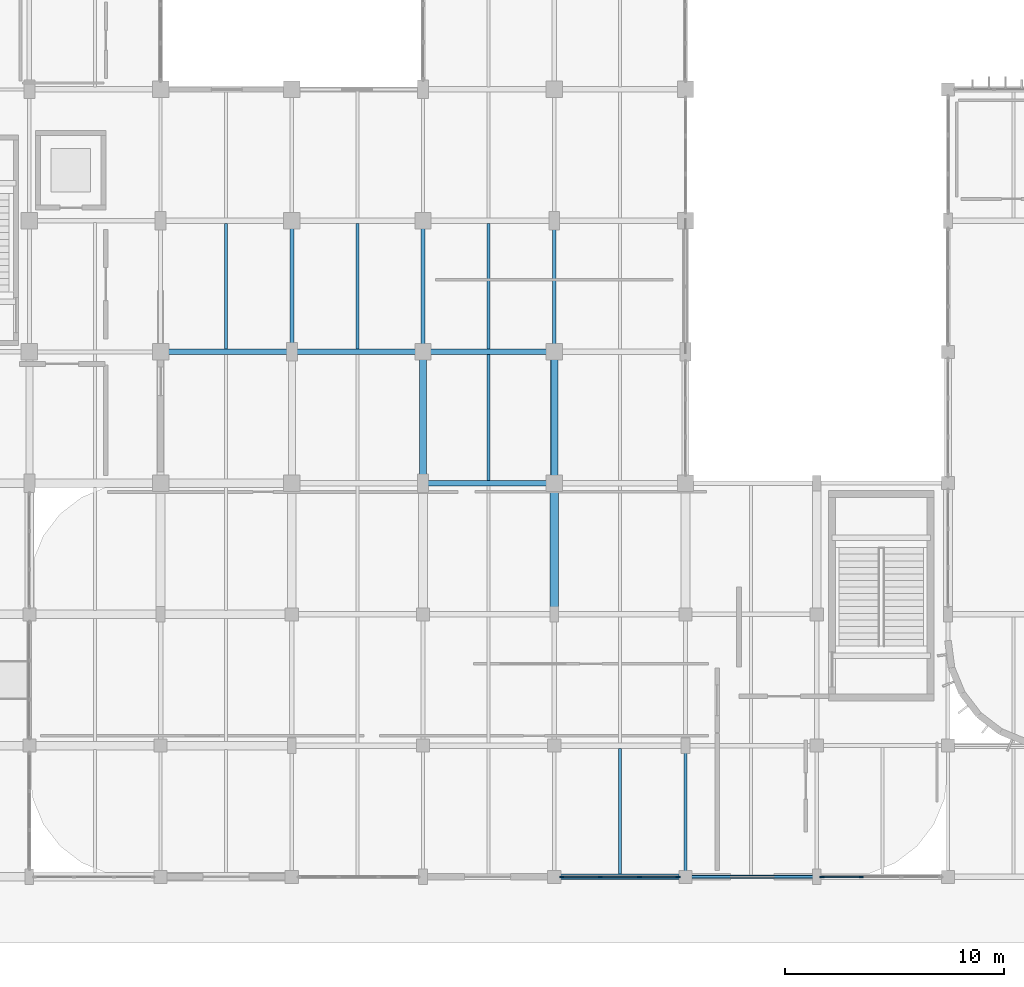
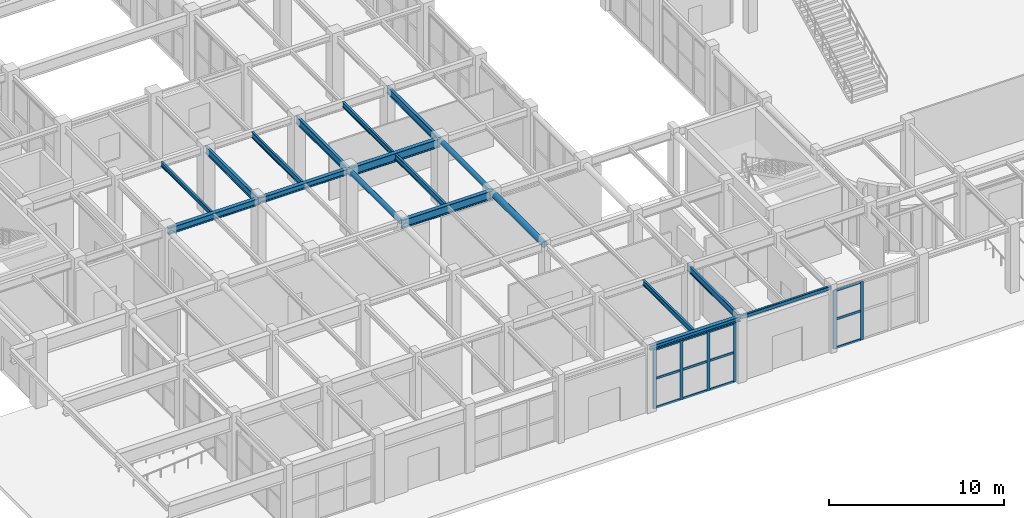
# One storey, part 6 of 76: 18 beams, 18 members, 2 elements without a shape of their own.
"""IFC4 building model written with IfcOpenShell, lengths in metres."""

import ifcopenshell
import ifcopenshell.guid

model = None  # the IFC model being written
_history = None  # IfcOwnerHistory: only IFC2X3 demands one
_inside = {}  # id of a spatial element -> (the spatial element, [elements in it])
_under = {}  # id of a project, library or spatial element -> (it, [spatial elements below it])
_declared = {}  # id of a project -> (the project, [libraries it declares])
_typed = {}  # id of a type object -> (the type object, [elements of that type])
_made_of = {}  # id of a material, layer set ... -> (it, [elements and type objects made of it])


def new_model(schema):
    """Start an empty IFC model of exactly this schema.

    Asked for "IFC4X3", IfcOpenShell would pick the latest addendum, in which some entities
    have other attributes; the version numbers below select the first issue.
    IFC2X3 requires an IfcOwnerHistory on every rooted entity: one is made here for all.
    """
    global model, _history
    if schema == "IFC4X3":
        model = ifcopenshell.file(schema_version=(4, 3, 0, 0))
    else:
        model = ifcopenshell.file(schema=schema)
    _inside.clear()
    _under.clear()
    _declared.clear()
    _typed.clear()
    _made_of.clear()
    _history = None
    if model.schema == "IFC2X3":
        org = make("IfcOrganization", Name="unknown")
        user = make(
            "IfcPersonAndOrganization",
            ThePerson=make("IfcPerson", FamilyName="unknown"),
            TheOrganization=org,
        )
        app = make(
            "IfcApplication",
            ApplicationDeveloper=org,
            Version="unknown",
            ApplicationFullName="unknown",
            ApplicationIdentifier="unknown",
        )
        _history = make(
            "IfcOwnerHistory",
            OwningUser=user,
            OwningApplication=app,
            ChangeAction="ADDED",
            CreationDate=0,
        )
    return model


def make(cls, **values):
    """One entity of the class cls with the attributes given. An attribute that is None is left unset."""
    return model.create_entity(
        cls, **{name: value for name, value in values.items() if value is not None}
    )


def rooted(cls, **values):
    """An entity with a GlobalId (a new one), such as an element, a storey or a relation."""
    return make(cls, GlobalId=ifcopenshell.guid.new(), OwnerHistory=_history, **values)


def si_unit(unit_type, name, prefix=None):
    """IfcSIUnit, for example si_unit("LENGTHUNIT", "METRE", prefix="MILLI")."""
    return make("IfcSIUnit", UnitType=unit_type, Prefix=prefix, Name=name)


def assignment(units):
    """IfcUnitAssignment: the units of a project."""
    return None if units is None else make("IfcUnitAssignment", Units=units)


def point(xyz):
    """IfcCartesianPoint."""
    return None if xyz is None else make("IfcCartesianPoint", Coordinates=xyz)


def direction(xyz):
    """IfcDirection."""
    return None if xyz is None else make("IfcDirection", DirectionRatios=xyz)


def frame(location, z_axis=None, x_axis=None):
    """IfcAxis2Placement3D, a coordinate frame: its origin and axes. An axis left out is left unset."""
    return make(
        "IfcAxis2Placement3D",
        Location=point(location),
        Axis=direction(z_axis),
        RefDirection=direction(x_axis),
    )


def frame_2d(location, x_axis=None):
    """IfcAxis2Placement2D, a coordinate frame in the plane: its origin and x axis."""
    return make(
        "IfcAxis2Placement2D", Location=point(location), RefDirection=direction(x_axis)
    )


def origin():
    """The frame at (0, 0, 0) with its axes left unset."""
    return frame((0.0, 0.0, 0.0))


def origin_2d():
    """The frame at (0, 0) in the plane with its x axis left unset."""
    return frame_2d((0.0, 0.0))


def place(relative_to, where):
    """IfcLocalPlacement: puts the frame where relative to a parent placement (None: the world)."""
    return make(
        "IfcLocalPlacement", PlacementRelTo=relative_to, RelativePlacement=where
    )


def context(
    kind, dimensions, precision=None, world=None, true_north=None, identifier=None
):
    """IfcGeometricRepresentationContext, for example the 3D "Model" context."""
    return make(
        "IfcGeometricRepresentationContext",
        ContextIdentifier=identifier,
        ContextType=kind,
        CoordinateSpaceDimension=dimensions,
        Precision=precision,
        WorldCoordinateSystem=world,
        TrueNorth=true_north,
    )


def subcontext(parent, identifier, kind, view, scale=None):
    """IfcGeometricRepresentationSubContext, for example "Body" below "Model"."""
    return make(
        "IfcGeometricRepresentationSubContext",
        ContextIdentifier=identifier,
        ContextType=kind,
        ParentContext=parent,
        TargetScale=scale,
        TargetView=view,
    )


def project(units=None, contexts=None):
    """IfcProject with its units and contexts."""
    return rooted(
        "IfcProject",
        Name="project",
        RepresentationContexts=contexts,
        UnitsInContext=assignment(units),
    )


def spatial(cls, under=None, at=None, **own):
    """A site, building, storey or space (cls), placed at a placement, below another one or the project."""
    s = rooted(cls, ObjectPlacement=at, **own)
    if under is not None:
        _under.setdefault(under.id(), (under, []))[1].append(s)
    return s


def profile(cls, at=None, kind="AREA", **sizes):
    """A parametric profile (cls). Its sizes go by their IFC names, for example OverallWidth=200.0."""
    return make(cls, ProfileType=kind, Position=at, **sizes)


def rectangle(**sizes):
    """IfcRectangleProfileDef."""
    return profile("IfcRectangleProfileDef", **sizes)


def hollow_rectangle(**sizes):
    """IfcRectangleHollowProfileDef."""
    return profile("IfcRectangleHollowProfileDef", **sizes)


def hollow_circle(**sizes):
    """IfcCircleHollowProfileDef."""
    return profile("IfcCircleHollowProfileDef", **sizes)


def i_section(**sizes):
    """IfcIShapeProfileDef."""
    return profile("IfcIShapeProfileDef", **sizes)


def extrude(swept, where, along, depth):
    """IfcExtrudedAreaSolid: the profile swept, set in the frame where, extruded along a direction by depth."""
    return make(
        "IfcExtrudedAreaSolid",
        SweptArea=swept,
        Position=where,
        ExtrudedDirection=direction(along),
        Depth=depth,
    )


def shape(context_of_items, identifier, shape_type, items):
    """IfcShapeRepresentation: the items that make up one representation, for example the "Body"."""
    return make(
        "IfcShapeRepresentation",
        ContextOfItems=context_of_items,
        RepresentationIdentifier=identifier,
        RepresentationType=shape_type,
        Items=items,
    )


def material(Name=None, Category=None):
    """IfcMaterial."""
    return make("IfcMaterial", Name=Name, Category=Category)


def material_profile(
    of_material, cross_section, Name=None, Category=None, Priority=None
):
    """IfcMaterialProfile: a cross section and its material."""
    return make(
        "IfcMaterialProfile",
        Name=Name,
        Material=of_material,
        Profile=cross_section,
        Priority=Priority,
        Category=Category,
    )


def profile_set(profiles, Name=None, composite=None):
    """IfcMaterialProfileSet."""
    return make(
        "IfcMaterialProfileSet",
        Name=Name,
        MaterialProfiles=profiles,
        CompositeProfile=composite,
    )


def made_of(thing, what):
    """Note that an element or type object is made of a material, layer set ...; save() writes the relation."""
    if what is not None:
        _made_of.setdefault(what.id(), (what, []))[1].append(thing)
    return thing


def type_object(cls, material=None, **own):
    """A type object (cls), such as IfcWallType, which elements share."""
    return made_of(rooted(cls, **own), material)


def element(
    cls,
    number,
    at=None,
    inside=None,
    cuts=None,
    type_object=None,
    material=None,
    context=None,
    identifier="Body",
    shape_type=None,
    held_by="IfcProductDefinitionShape",
    body=None,
    shapes=None,
    **own,
):
    """One element of the class cls, such as IfcWall. Its Tag is "e" and its number.

    at: its placement. inside: the storey or other place that contains it. cuts: it is an
    opening in that element (IfcRelVoidsElement). A single representation is given by context,
    identifier, shape_type and body (its items); several are given by shapes. held_by: the class
    of the entity that holds the representations. save() writes the other relations.
    """
    e = rooted(cls, Tag="e%d" % number, ObjectPlacement=at, **own)
    if body is not None:
        shapes = [shape(context, identifier, shape_type, body)]
    if shapes is not None:
        e.Representation = make(held_by, Representations=shapes)
    if inside is not None:
        _inside.setdefault(inside.id(), (inside, []))[1].append(e)
    if cuts is not None:
        rooted(
            "IfcRelVoidsElement", RelatingBuildingElement=cuts, RelatedOpeningElement=e
        )
    if type_object is not None:
        _typed.setdefault(type_object.id(), (type_object, []))[1].append(e)
    return made_of(e, material)


def aggregate(whole, parts):
    """IfcRelAggregates: a whole, such as a stair, and the parts it consists of."""
    return rooted("IfcRelAggregates", RelatingObject=whole, RelatedObjects=parts)


def save(model, path):
    """Write the relations noted so far, then the file.

    IfcRelAggregates (storeys below a building ...), IfcRelContainedInSpatialStructure (elements
    in a storey), IfcRelDefinesByType, IfcRelAssociatesMaterial and IfcRelDeclares: one each for
    every whole, place, type object, material and project.
    """
    for whole, parts in _under.values():
        aggregate(whole, parts)
    for where, things in _inside.values():
        rooted(
            "IfcRelContainedInSpatialStructure",
            RelatedElements=things,
            RelatingStructure=where,
        )
    for kind, things in _typed.values():
        rooted("IfcRelDefinesByType", RelatedObjects=things, RelatingType=kind)
    for what, things in _made_of.values():
        rooted("IfcRelAssociatesMaterial", RelatedObjects=things, RelatingMaterial=what)
    for by, libraries in _declared.values():
        rooted("IfcRelDeclares", RelatingContext=by, RelatedDefinitions=libraries)
    model.write(path)


model = new_model("IFC4")

# Units and contexts
model_context = context("Model", 3, precision=1e-05, world=origin(), true_north=direction((0.0, 1.0)))
body_context = subcontext(model_context, "Body", "Model", "MODEL_VIEW")
ifc_project = project(units=[si_unit("LENGTHUNIT", "METRE"), si_unit("AREAUNIT", "SQUARE_METRE"), si_unit("VOLUMEUNIT", "CUBIC_METRE"), si_unit("PLANEANGLEUNIT", "RADIAN"), si_unit("MASSUNIT", "GRAM", prefix="KILO")], contexts=[model_context])

# Site, building, storey
site_placement = place(None, origin())
site = spatial("IfcSite", under=ifc_project, at=site_placement, CompositionType="ELEMENT")
building_placement = place(site_placement, origin())
building = spatial("IfcBuilding", under=site, at=building_placement, Name="Varnakota Square Police Headquarters", CompositionType="ELEMENT")
storey_placement = place(building_placement, origin())
storey = spatial("IfcBuildingStorey", under=building, at=storey_placement, Name="L00", CompositionType="ELEMENT", Elevation=0.0)

# Beams
ifc_material_1 = material(Name="Steel IS 2062 Grade 350", Category="steel")
ifc_material_profile_1 = material_profile(ifc_material_1, hollow_circle(Radius=0.161865234375, WallThickness=0.0126953125, at=origin_2d()), Name="CHS 323.9x12.7")
ifc_profile_set_1 = profile_set([ifc_material_profile_1], Name="Steel IS 2062 Grade 350")
beam_type_1 = type_object("IfcBeamType", Name="BM-ARC-CHS324", PredefinedType="BEAM", material=ifc_profile_set_1)
for number, where, z_axis, x_axis, name in (
    (1, (30.0, 21.0, 4.337890625), (0.0, 1.0, 0.0), (-1.0, 0.0, 0.0), "BMG-L00-0987"),
    (2, (36.0, 21.0, 4.337890625), (0.0, 1.0, 0.0), (-1.0, 0.0, 0.0), "BMG-L00-1001"),
):
    element("IfcBeam", number, at=place(storey_placement, frame(where, z_axis=z_axis, x_axis=x_axis)), inside=storey, type_object=beam_type_1, Name=name, PredefinedType="BEAM", context=body_context, shape_type="SweptSolid", body=[
        extrude(hollow_circle(Radius=0.161865234375, WallThickness=0.0126953125, at=origin_2d()), origin(), (0.0, 0.0, 1.0), 6.0),
    ])
ifc_material_profile_2 = material_profile(ifc_material_1, hollow_circle(Radius=0.203125, WallThickness=0.01611328125, at=origin_2d()), Name="CHS 406.4x16.0")
ifc_profile_set_2 = profile_set([ifc_material_profile_2], Name="Steel IS 2062 Grade 350")
beam_type_2 = type_object("IfcBeamType", Name="BM-ARC-CHS406", PredefinedType="BEAM", material=ifc_profile_set_2)
beam_1_placement = place(storey_placement, frame((36.0, 15.0, 4.296875), z_axis=(0.0, 1.0, 0.0), x_axis=(-1.0, 0.0, 0.0)))
element("IfcBeam", 3, at=beam_1_placement, inside=storey, type_object=beam_type_2, Name="BMG-L00-1000", PredefinedType="BEAM", context=body_context, shape_type="SweptSolid", body=[
    extrude(hollow_circle(Radius=0.203125, WallThickness=0.01611328125, at=origin_2d()), origin(), (0.0, 0.0, 1.0), 6.0),
])
ifc_material_profile_3 = material_profile(ifc_material_1, hollow_rectangle(XDim=0.14990234375, YDim=0.25, WallThickness=0.010009765625, InnerFilletRadius=0.010009765625, OuterFilletRadius=0.02001953125, at=origin_2d()), Name="RHS 250x150x10")
ifc_profile_set_3 = profile_set([ifc_material_profile_3], Name="Steel IS 2062 Grade 350")
beam_type_3 = type_object("IfcBeamType", Name="BM-CBEAM-RHS250", PredefinedType="BEAM", material=ifc_profile_set_3)
beam_2_placement = place(storey_placement, frame((42.0, 3.0, 4.375), z_axis=(1.0, 0.0, 0.0), x_axis=(0.0, 1.0, 0.0)))
element("IfcBeam", 4, at=beam_2_placement, inside=storey, type_object=beam_type_3, Name="BMG-L00-0696", PredefinedType="BEAM", context=body_context, shape_type="SweptSolid", body=[
    extrude(hollow_rectangle(XDim=0.14990234375, YDim=0.25, WallThickness=0.010009765625, InnerFilletRadius=0.010009765625, OuterFilletRadius=0.02001953125, at=origin_2d()), origin(), (0.0, 0.0, 1.0), 6.0),
])
ifc_material_profile_4 = material_profile(ifc_material_1, i_section(OverallWidth=0.25, OverallDepth=0.300048828125, WebThickness=0.009521484375, FlangeThickness=0.010498046875, FilletRadius=0.011962890625, at=origin_2d()), Name="ISHB 300")
ifc_profile_set_4 = profile_set([ifc_material_profile_4], Name="Steel IS 2062 Grade 350")
beam_type_4 = type_object("IfcBeamType", Name="BM-ISHB300", PredefinedType="BEAM", material=ifc_profile_set_4)
beam_3_placement = place(storey_placement, frame((36.0, 3.0, 4.35009765625), z_axis=(1.0, 0.0, 0.0), x_axis=(0.0, 1.0, 0.0)))
element("IfcBeam", 5, at=beam_3_placement, inside=storey, type_object=beam_type_4, Name="BMG-L00-0695", PredefinedType="BEAM", context=body_context, shape_type="SweptSolid", body=[
    extrude(i_section(OverallWidth=0.25, OverallDepth=0.300048828125, WebThickness=0.009521484375, FlangeThickness=0.010498046875, FilletRadius=0.011962890625, at=origin_2d()), origin(), (0.0, 0.0, 1.0), 6.0),
])
ifc_material_profile_5 = material_profile(ifc_material_1, i_section(OverallWidth=0.25, OverallDepth=0.39990234375, WebThickness=0.010498046875, FlangeThickness=0.0126953125, FilletRadius=0.013916015625, at=origin_2d()), Name="ISHB 400")
ifc_profile_set_5 = profile_set([ifc_material_profile_5], Name="Steel IS 2062 Grade 350")
beam_type_5 = type_object("IfcBeamType", Name="BM-ISHB400", PredefinedType="BEAM", material=ifc_profile_set_5)
beam_4_placement = place(storey_placement, frame((24.0, 27.0, 4.300048828125), z_axis=(1.0, 0.0, 0.0), x_axis=(0.0, 1.0, 0.0)))
element("IfcBeam", 6, at=beam_4_placement, inside=storey, type_object=beam_type_5, Name="BMG-L00-0756", PredefinedType="BEAM", context=body_context, shape_type="SweptSolid", body=[
    extrude(i_section(OverallWidth=0.25, OverallDepth=0.39990234375, WebThickness=0.010498046875, FlangeThickness=0.0126953125, FilletRadius=0.013916015625, at=origin_2d()), origin(), (0.0, 0.0, 1.0), 6.0),
])
ifc_material_profile_6 = material_profile(ifc_material_1, i_section(OverallWidth=0.25, OverallDepth=0.449951171875, WebThickness=0.01123046875, FlangeThickness=0.013671875, FilletRadius=0.014892578125, at=origin_2d()), Name="ISHB 450")
ifc_profile_set_6 = profile_set([ifc_material_profile_6], Name="Steel IS 2062 Grade 350")
beam_type_6 = type_object("IfcBeamType", Name="BM-ISHB450", PredefinedType="BEAM", material=ifc_profile_set_6)
beam_5_placement = place(storey_placement, frame((18.0, 27.0, 4.27490234375), z_axis=(1.0, 0.0, 0.0), x_axis=(0.0, 1.0, 0.0)))
element("IfcBeam", 7, at=beam_5_placement, inside=storey, type_object=beam_type_6, Name="BMG-L00-0755", PredefinedType="BEAM", context=body_context, shape_type="SweptSolid", body=[
    extrude(i_section(OverallWidth=0.25, OverallDepth=0.449951171875, WebThickness=0.01123046875, FlangeThickness=0.013671875, FilletRadius=0.014892578125, at=origin_2d()), origin(), (0.0, 0.0, 1.0), 6.0),
])
ifc_material_profile_7 = material_profile(ifc_material_1, i_section(OverallWidth=0.139892578125, OverallDepth=0.300048828125, WebThickness=0.0078125, FlangeThickness=0.01318359375, FilletRadius=0.013916015625, at=origin_2d()), Name="ISMB 300")
ifc_profile_set_7 = profile_set([ifc_material_profile_7], Name="Steel IS 2062 Grade 350")
beam_type_7 = type_object("IfcBeamType", Name="BM-ISMB300", PredefinedType="JOIST", material=ifc_profile_set_7)
beam_6_placement = place(storey_placement, frame((21.0, 27.123046875, 4.35009765625), z_axis=(0.0, 1.0, 0.0), x_axis=(-1.0, 0.0, 0.0)))
element("IfcBeam", 8, at=beam_6_placement, inside=storey, type_object=beam_type_7, Name="BMG-L00-1202", PredefinedType="JOIST", context=body_context, shape_type="SweptSolid", body=[
    extrude(i_section(OverallWidth=0.139892578125, OverallDepth=0.300048828125, WebThickness=0.0078125, FlangeThickness=0.01318359375, FilletRadius=0.013916015625, at=origin_2d()), origin(), (0.0, 0.0, 1.0), 5.75390625),
])
ifc_material_profile_8 = material_profile(ifc_material_1, i_section(OverallWidth=0.139892578125, OverallDepth=0.35009765625, WebThickness=0.008056640625, FlangeThickness=0.01416015625, FilletRadius=0.013916015625, at=origin_2d()), Name="ISMB 350")
ifc_profile_set_8 = profile_set([ifc_material_profile_8], Name="Steel IS 2062 Grade 350")
beam_type_8 = type_object("IfcBeamType", Name="BM-ISMB350", PredefinedType="JOIST", material=ifc_profile_set_8)
for number, where, z_axis, x_axis, name in (
    (9, (33.0, 27.123046875, 4.324951171875), (0.0, 1.0, 0.0), (-1.0, 0.0, 0.0), "BMG-L00-1217"),
    (10, (39.0, 3.123046875, 4.324951171875), (0.0, 1.0, 0.0), (-1.0, 0.0, 0.0), "BMG-L00-1224"),
):
    element("IfcBeam", number, at=place(storey_placement, frame(where, z_axis=z_axis, x_axis=x_axis)), inside=storey, type_object=beam_type_8, Name=name, PredefinedType="JOIST", context=body_context, shape_type="SweptSolid", body=[
        extrude(i_section(OverallWidth=0.139892578125, OverallDepth=0.35009765625, WebThickness=0.008056640625, FlangeThickness=0.01416015625, FilletRadius=0.013916015625, at=origin_2d()), origin(), (0.0, 0.0, 1.0), 5.75390625),
    ])
ifc_material_profile_9 = material_profile(ifc_material_1, i_section(OverallWidth=0.139892578125, OverallDepth=0.39990234375, WebThickness=0.0087890625, FlangeThickness=0.01611328125, FilletRadius=0.013916015625, at=origin_2d()), Name="ISMB 400")
ifc_profile_set_9 = profile_set([ifc_material_profile_9], Name="Steel IS 2062 Grade 350")
beam_type_9 = type_object("IfcBeamType", Name="BM-ISMB400", PredefinedType="JOIST", material=ifc_profile_set_9)
for number, where, z_axis, x_axis, name in (
    (11, (27.0, 27.123046875, 4.300048828125), (0.0, 1.0, 0.0), (-1.0, 0.0, 0.0), "BMG-L00-1209"),
    (12, (33.0, 21.123046875, 4.300048828125), (0.0, 1.0, 0.0), (-1.0, 0.0, 0.0), "BMG-L00-1216"),
):
    element("IfcBeam", number, at=place(storey_placement, frame(where, z_axis=z_axis, x_axis=x_axis)), inside=storey, type_object=beam_type_9, Name=name, PredefinedType="JOIST", context=body_context, shape_type="SweptSolid", body=[
        extrude(i_section(OverallWidth=0.139892578125, OverallDepth=0.39990234375, WebThickness=0.0087890625, FlangeThickness=0.01611328125, FilletRadius=0.013916015625, at=origin_2d()), origin(), (0.0, 0.0, 1.0), 5.75390625),
    ])
ifc_material_profile_10 = material_profile(ifc_material_1, i_section(OverallWidth=0.14990234375, OverallDepth=0.449951171875, WebThickness=0.009521484375, FlangeThickness=0.017333984375, FilletRadius=0.014892578125, at=origin_2d()), Name="ISMB 450")
ifc_profile_set_10 = profile_set([ifc_material_profile_10], Name="Steel IS 2062 Grade 350")
beam_type_10 = type_object("IfcBeamType", Name="BM-ISMB450", PredefinedType="BEAM", material=ifc_profile_set_10)
beam_7_placement = place(storey_placement, frame((42.0, 3.0, 4.27490234375), z_axis=(0.0, 1.0, 0.0), x_axis=(-1.0, 0.0, 0.0)))
element("IfcBeam", 13, at=beam_7_placement, inside=storey, type_object=beam_type_10, Name="BMG-L00-1010", PredefinedType="BEAM", context=body_context, shape_type="SweptSolid", body=[
    extrude(i_section(OverallWidth=0.14990234375, OverallDepth=0.449951171875, WebThickness=0.009521484375, FlangeThickness=0.017333984375, FilletRadius=0.014892578125, at=origin_2d()), origin(), (0.0, 0.0, 1.0), 6.0),
])
ifc_material_profile_11 = material_profile(ifc_material_1, i_section(OverallWidth=0.179931640625, OverallDepth=0.5, WebThickness=0.01025390625, FlangeThickness=0.01708984375, FilletRadius=0.01708984375, at=origin_2d()), Name="ISMB 500")
ifc_profile_set_11 = profile_set([ifc_material_profile_11], Name="Steel IS 2062 Grade 350")
beam_type_11 = type_object("IfcBeamType", Name="BM-ISMB500", PredefinedType="BEAM", material=ifc_profile_set_11)
for number, where, z_axis, x_axis, name in (
    (14, (24.0, 27.0, 4.25), (0.0, 1.0, 0.0), (-1.0, 0.0, 0.0), "BMG-L00-0980"),
    (15, (30.0, 27.0, 4.25), (0.0, 1.0, 0.0), (-1.0, 0.0, 0.0), "BMG-L00-0988"),
    (16, (36.0, 27.0, 4.25), (0.0, 1.0, 0.0), (-1.0, 0.0, 0.0), "BMG-L00-1002"),
):
    element("IfcBeam", number, at=place(storey_placement, frame(where, z_axis=z_axis, x_axis=x_axis)), inside=storey, type_object=beam_type_11, Name=name, PredefinedType="BEAM", context=body_context, shape_type="SweptSolid", body=[
        extrude(i_section(OverallWidth=0.179931640625, OverallDepth=0.5, WebThickness=0.01025390625, FlangeThickness=0.01708984375, FilletRadius=0.01708984375, at=origin_2d()), origin(), (0.0, 0.0, 1.0), 6.0),
    ])
ifc_material_profile_12 = material_profile(ifc_material_1, i_section(OverallWidth=0.25, OverallDepth=0.60009765625, WebThickness=0.01171875, FlangeThickness=0.023681640625, FilletRadius=0.01708984375, at=origin_2d()), Name="ISWB 600")
ifc_profile_set_12 = profile_set([ifc_material_profile_12], Name="Steel IS 2062 Grade 350")
beam_type_12 = type_object("IfcBeamType", Name="BM-ISWB600", PredefinedType="BEAM", material=ifc_profile_set_12)
for number, where, z_axis, x_axis, name in (
    (17, (30.0, 21.0, 4.199951171875), (1.0, 0.0, 0.0), (0.0, 1.0, 0.0), "BMG-L00-0744"),
    (18, (30.0, 27.0, 4.199951171875), (1.0, 0.0, 0.0), (0.0, 1.0, 0.0), "BMG-L00-0757"),
):
    element("IfcBeam", number, at=place(storey_placement, frame(where, z_axis=z_axis, x_axis=x_axis)), inside=storey, type_object=beam_type_12, Name=name, PredefinedType="BEAM", context=body_context, shape_type="SweptSolid", body=[
        extrude(i_section(OverallWidth=0.25, OverallDepth=0.60009765625, WebThickness=0.01171875, FlangeThickness=0.023681640625, FilletRadius=0.01708984375, at=origin_2d()), origin(), (0.0, 0.0, 1.0), 6.0),
    ])

# Curtain wall, members
ifc_material_2 = material(Name="Anodised Aluminium Framing", Category="aluminium")
curtain_wall_type = type_object("IfcCurtainWallType", Name="CW-SYS-A", PredefinedType="NOTDEFINED", material=ifc_material_2)
curtain_wall_1_placement = place(storey_placement, origin())
curtain_wall_1 = element("IfcCurtainWall", 19, at=curtain_wall_1_placement, inside=storey, type_object=curtain_wall_type, Name="Unitised curtain wall CWG-L00-037", PredefinedType="NOTDEFINED")
ifc_material_3 = material(Name="Anodised Aluminium 6063-T6", Category="aluminium")
ifc_material_profile_13 = material_profile(ifc_material_3, rectangle(XDim=0.074951171875, YDim=0.199951171875, at=origin_2d()), Name="ALU MULLION 75x200")
ifc_profile_set_13 = profile_set([ifc_material_profile_13], Name="Anodised Aluminium 6063-T6")
member_type_1 = type_object("IfcMemberType", Name="CWM-180", PredefinedType="MULLION", material=ifc_profile_set_13)
member_1_placement = place(storey_placement, frame((36.342529296875, 3.0, 0.0), z_axis=(0.0, 0.0, 1.0), x_axis=(0.0, 1.0, 0.0)))
member_1 = element("IfcMember", 20, at=member_1_placement, type_object=member_type_1, Name="CWG-L00-037 mullion 1", PredefinedType="MULLION", context=body_context, shape_type="SweptSolid", body=[
    extrude(rectangle(XDim=0.074951171875, YDim=0.199951171875, at=origin_2d()), origin(), (0.0, 0.0, 1.0), 4.139892578125),
])
member_2_placement = place(storey_placement, frame((38.1015625, 3.0, 0.0), z_axis=(0.0, 0.0, 1.0), x_axis=(0.0, 1.0, 0.0)))
member_2 = element("IfcMember", 21, at=member_2_placement, type_object=member_type_1, Name="CWG-L00-037 mullion 2", PredefinedType="MULLION", context=body_context, shape_type="SweptSolid", body=[
    extrude(rectangle(XDim=0.074951171875, YDim=0.199951171875, at=origin_2d()), origin(), (0.0, 0.0, 1.0), 4.139892578125),
])
member_3_placement = place(storey_placement, frame((39.8984375, 3.0, 0.0), z_axis=(0.0, 0.0, 1.0), x_axis=(0.0, 1.0, 0.0)))
member_3 = element("IfcMember", 22, at=member_3_placement, type_object=member_type_1, Name="CWG-L00-037 mullion 3", PredefinedType="MULLION", context=body_context, shape_type="SweptSolid", body=[
    extrude(rectangle(XDim=0.074951171875, YDim=0.199951171875, at=origin_2d()), origin(), (0.0, 0.0, 1.0), 4.139892578125),
])
member_4_placement = place(storey_placement, frame((41.657470703125, 3.0, 0.0), z_axis=(0.0, 0.0, 1.0), x_axis=(0.0, 1.0, 0.0)))
member_4 = element("IfcMember", 23, at=member_4_placement, type_object=member_type_1, Name="CWG-L00-037 mullion 4", PredefinedType="MULLION", context=body_context, shape_type="SweptSolid", body=[
    extrude(rectangle(XDim=0.074951171875, YDim=0.199951171875, at=origin_2d()), origin(), (0.0, 0.0, 1.0), 4.139892578125),
])

curtain_wall_2_placement = place(storey_placement, origin())
curtain_wall_2 = element("IfcCurtainWall", 24, at=curtain_wall_2_placement, inside=storey, type_object=curtain_wall_type, Name="Unitised curtain wall CWG-L00-038", PredefinedType="NOTDEFINED")
member_5_placement = place(storey_placement, frame((48.242431640625, 3.0, 0.0), z_axis=(0.0, 0.0, 1.0), x_axis=(0.0, 1.0, 0.0)))
member_5 = element("IfcMember", 25, at=member_5_placement, type_object=member_type_1, Name="CWG-L00-038 mullion 1", PredefinedType="MULLION", context=body_context, shape_type="SweptSolid", body=[
    extrude(rectangle(XDim=0.074951171875, YDim=0.199951171875, at=origin_2d()), origin(), (0.0, 0.0, 1.0), 4.090087890625),
])
member_6_placement = place(storey_placement, frame((50.034912109375, 3.0, 0.0), z_axis=(0.0, 0.0, 1.0), x_axis=(0.0, 1.0, 0.0)))
member_6 = element("IfcMember", 26, at=member_6_placement, type_object=member_type_1, Name="CWG-L00-038 mullion 2", PredefinedType="MULLION", context=body_context, shape_type="SweptSolid", body=[
    extrude(rectangle(XDim=0.074951171875, YDim=0.199951171875, at=origin_2d()), origin(), (0.0, 0.0, 1.0), 4.090087890625),
])

# Member
ifc_material_profile_14 = material_profile(ifc_material_3, rectangle(XDim=0.074951171875, YDim=0.159912109375, at=origin_2d()), Name="ALU TRANSOM 75x160")
ifc_profile_set_14 = profile_set([ifc_material_profile_14], Name="Anodised Aluminium 6063-T6")
member_type_2 = type_object("IfcMemberType", Name="CWT-150", PredefinedType="USERDEFINED", material=ifc_profile_set_14)
member_7_placement = place(storey_placement, frame((36.3798828125, 3.0, 0.03759765625), z_axis=(1.0, 0.0, 0.0), x_axis=(0.0, 1.0, 0.0)))
member_7 = element("IfcMember", 27, at=member_7_placement, type_object=member_type_2, Name="CWG-L00-037 transom 1.1", ObjectType="TRANSOM", PredefinedType="USERDEFINED", context=body_context, shape_type="SweptSolid", body=[
    extrude(rectangle(XDim=0.074951171875, YDim=0.159912109375, at=origin_2d()), origin(), (0.0, 0.0, 1.0), 1.684326171875),
])

member_8_placement = place(storey_placement, frame((36.3798828125, 3.0, 2.070068359375), z_axis=(1.0, 0.0, 0.0), x_axis=(0.0, 1.0, 0.0)))
member_8 = element("IfcMember", 28, at=member_8_placement, type_object=member_type_2, Name="CWG-L00-037 transom 1.2", ObjectType="TRANSOM", PredefinedType="USERDEFINED", context=body_context, shape_type="SweptSolid", body=[
    extrude(rectangle(XDim=0.074951171875, YDim=0.159912109375, at=origin_2d()), origin(), (0.0, 0.0, 1.0), 1.684326171875),
])

member_9_placement = place(storey_placement, frame((36.3798828125, 3.0, 4.1025390625), z_axis=(1.0, 0.0, 0.0), x_axis=(0.0, 1.0, 0.0)))
member_9 = element("IfcMember", 29, at=member_9_placement, type_object=member_type_2, Name="CWG-L00-037 transom 1.3", ObjectType="TRANSOM", PredefinedType="USERDEFINED", context=body_context, shape_type="SweptSolid", body=[
    extrude(rectangle(XDim=0.074951171875, YDim=0.159912109375, at=origin_2d()), origin(), (0.0, 0.0, 1.0), 1.684326171875),
])

member_10_placement = place(storey_placement, frame((38.13916015625, 3.0, 0.03759765625), z_axis=(1.0, 0.0, 0.0), x_axis=(0.0, 1.0, 0.0)))
member_10 = element("IfcMember", 30, at=member_10_placement, type_object=member_type_2, Name="CWG-L00-037 transom 2.1", ObjectType="TRANSOM", PredefinedType="USERDEFINED", context=body_context, shape_type="SweptSolid", body=[
    extrude(rectangle(XDim=0.074951171875, YDim=0.159912109375, at=origin_2d()), origin(), (0.0, 0.0, 1.0), 1.7216796875),
])

member_11_placement = place(storey_placement, frame((38.13916015625, 3.0, 2.070068359375), z_axis=(1.0, 0.0, 0.0), x_axis=(0.0, 1.0, 0.0)))
member_11 = element("IfcMember", 31, at=member_11_placement, type_object=member_type_2, Name="CWG-L00-037 transom 2.2", ObjectType="TRANSOM", PredefinedType="USERDEFINED", context=body_context, shape_type="SweptSolid", body=[
    extrude(rectangle(XDim=0.074951171875, YDim=0.159912109375, at=origin_2d()), origin(), (0.0, 0.0, 1.0), 1.7216796875),
])

member_12_placement = place(storey_placement, frame((38.13916015625, 3.0, 4.1025390625), z_axis=(1.0, 0.0, 0.0), x_axis=(0.0, 1.0, 0.0)))
member_12 = element("IfcMember", 32, at=member_12_placement, type_object=member_type_2, Name="CWG-L00-037 transom 2.3", ObjectType="TRANSOM", PredefinedType="USERDEFINED", context=body_context, shape_type="SweptSolid", body=[
    extrude(rectangle(XDim=0.074951171875, YDim=0.159912109375, at=origin_2d()), origin(), (0.0, 0.0, 1.0), 1.7216796875),
])

member_13_placement = place(storey_placement, frame((39.935791015625, 3.0, 0.03759765625), z_axis=(1.0, 0.0, 0.0), x_axis=(0.0, 1.0, 0.0)))
member_13 = element("IfcMember", 33, at=member_13_placement, type_object=member_type_2, Name="CWG-L00-037 transom 3.1", ObjectType="TRANSOM", PredefinedType="USERDEFINED", context=body_context, shape_type="SweptSolid", body=[
    extrude(rectangle(XDim=0.074951171875, YDim=0.159912109375, at=origin_2d()), origin(), (0.0, 0.0, 1.0), 1.684326171875),
])

member_14_placement = place(storey_placement, frame((39.935791015625, 3.0, 2.070068359375), z_axis=(1.0, 0.0, 0.0), x_axis=(0.0, 1.0, 0.0)))
member_14 = element("IfcMember", 34, at=member_14_placement, type_object=member_type_2, Name="CWG-L00-037 transom 3.2", ObjectType="TRANSOM", PredefinedType="USERDEFINED", context=body_context, shape_type="SweptSolid", body=[
    extrude(rectangle(XDim=0.074951171875, YDim=0.159912109375, at=origin_2d()), origin(), (0.0, 0.0, 1.0), 1.684326171875),
])

member_15_placement = place(storey_placement, frame((39.935791015625, 3.0, 4.1025390625), z_axis=(1.0, 0.0, 0.0), x_axis=(0.0, 1.0, 0.0)))
member_15 = element("IfcMember", 35, at=member_15_placement, type_object=member_type_2, Name="CWG-L00-037 transom 3.3", ObjectType="TRANSOM", PredefinedType="USERDEFINED", context=body_context, shape_type="SweptSolid", body=[
    extrude(rectangle(XDim=0.074951171875, YDim=0.159912109375, at=origin_2d()), origin(), (0.0, 0.0, 1.0), 1.684326171875),
])

aggregate(curtain_wall_1, [member_1, member_2, member_3, member_4, member_7, member_8, member_9, member_10, member_11, member_12, member_13, member_14, member_15])

member_16_placement = place(storey_placement, frame((48.280029296875, 3.0, 0.03759765625), z_axis=(1.0, 0.0, 0.0), x_axis=(0.0, 1.0, 0.0)))
member_16 = element("IfcMember", 36, at=member_16_placement, type_object=member_type_2, Name="CWG-L00-038 transom 1.1", ObjectType="TRANSOM", PredefinedType="USERDEFINED", context=body_context, shape_type="SweptSolid", body=[
    extrude(rectangle(XDim=0.074951171875, YDim=0.159912109375, at=origin_2d()), origin(), (0.0, 0.0, 1.0), 1.717529296875),
])

member_17_placement = place(storey_placement, frame((48.280029296875, 3.0, 2.044921875), z_axis=(1.0, 0.0, 0.0), x_axis=(0.0, 1.0, 0.0)))
member_17 = element("IfcMember", 37, at=member_17_placement, type_object=member_type_2, Name="CWG-L00-038 transom 1.2", ObjectType="TRANSOM", PredefinedType="USERDEFINED", context=body_context, shape_type="SweptSolid", body=[
    extrude(rectangle(XDim=0.074951171875, YDim=0.159912109375, at=origin_2d()), origin(), (0.0, 0.0, 1.0), 1.717529296875),
])

member_18_placement = place(storey_placement, frame((48.280029296875, 3.0, 4.052490234375), z_axis=(1.0, 0.0, 0.0), x_axis=(0.0, 1.0, 0.0)))
member_18 = element("IfcMember", 38, at=member_18_placement, type_object=member_type_2, Name="CWG-L00-038 transom 1.3", ObjectType="TRANSOM", PredefinedType="USERDEFINED", context=body_context, shape_type="SweptSolid", body=[
    extrude(rectangle(XDim=0.074951171875, YDim=0.159912109375, at=origin_2d()), origin(), (0.0, 0.0, 1.0), 1.717529296875),
])

aggregate(curtain_wall_2, [member_5, member_6, member_16, member_17, member_18])

save(model, "model.ifc")
